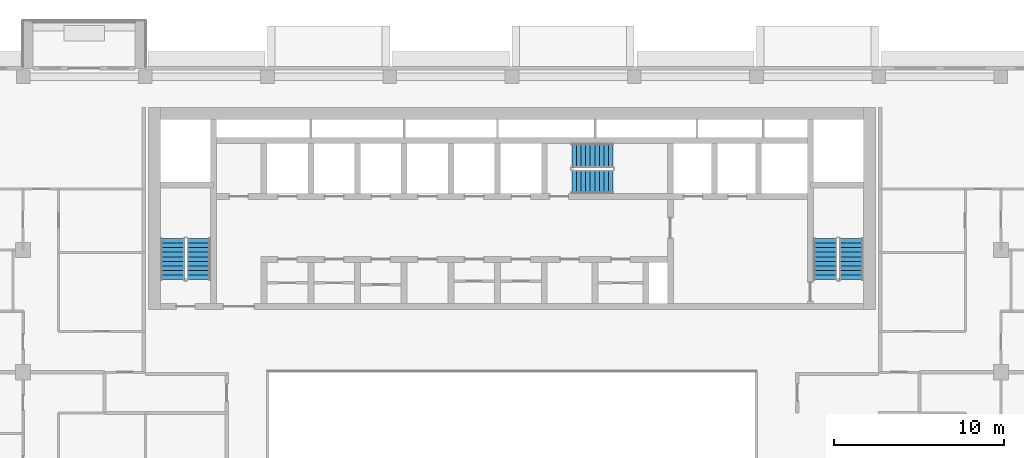
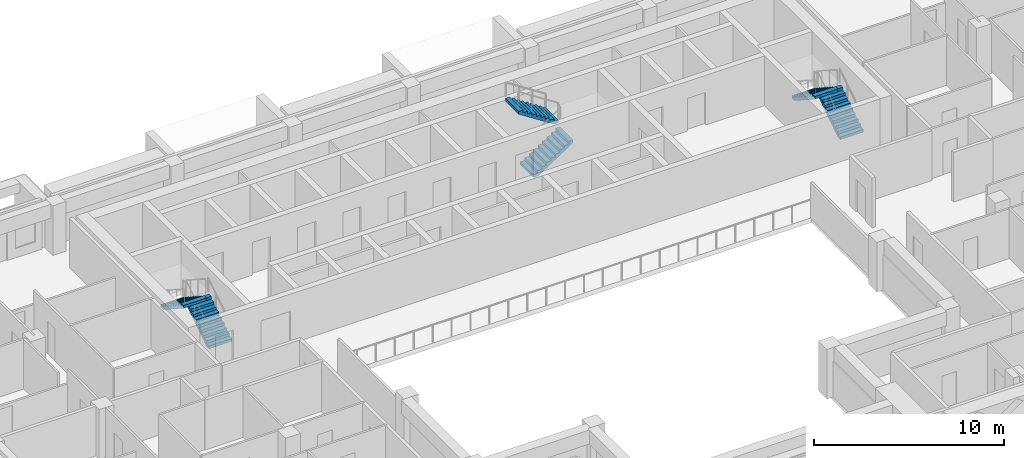
# One storey, part 13 of 20: 6 stair flights, 3 elements without a shape of their own.
"""IFC4 building model written with IfcOpenShell, lengths in metres."""

from ifc_helpers import new_model, si_unit, direction, frame, origin, place, context, subcontext, project, spatial, polyline, outline, extrude, material, layer, layer_set, type_object, element, aggregate, save


model = new_model("IFC4")

# Units and contexts
model_context = context("Model", 3, precision=1e-05, world=origin(), true_north=direction((0.0, 1.0)))
body_context = subcontext(model_context, "Body", "Model", "MODEL_VIEW")
ifc_project = project(units=[si_unit("LENGTHUNIT", "METRE"), si_unit("AREAUNIT", "SQUARE_METRE"), si_unit("VOLUMEUNIT", "CUBIC_METRE"), si_unit("PLANEANGLEUNIT", "RADIAN"), si_unit("MASSUNIT", "GRAM", prefix="KILO")], contexts=[model_context])

# Site, building, storey
site_placement = place(None, origin())
site = spatial("IfcSite", under=ifc_project, at=site_placement, CompositionType="ELEMENT")
building_placement = place(site_placement, origin())
building = spatial("IfcBuilding", under=site, at=building_placement, Name="Saffron Iwan Residences", CompositionType="ELEMENT")
storey_placement = place(building_placement, frame((0.0, 0.0, 199.0)))
storey = spatial("IfcBuildingStorey", under=building, at=storey_placement, Name="L53", CompositionType="ELEMENT", Elevation=199.0)

# Stair, stair flights
ifc_material = material(Name="Concrete C50/60", Category="concrete")
stair_type = type_object("IfcStairType", Name="Stair ST-CORE", PredefinedType="HALF_TURN_STAIR", material=ifc_material)
stair_1_placement = place(storey_placement, origin())
stair_1 = element("IfcStair", 1, at=stair_1_placement, inside=storey, type_object=stair_type, Name="L53 Exit Stair ST-W", PredefinedType="HALF_TURN_STAIR")
ifc_layer = layer(ifc_material, 0.14990234375)
ifc_layer_set = layer_set([ifc_layer], Name="Concrete C50/60")
stair_flight_type = type_object("IfcStairFlightType", Name="Stair flight SFL-RC", PredefinedType="STRAIGHT", material=ifc_layer_set)
stair_flight_1_placement = place(storey_placement, frame((31.949951171875, 67.85009765625, 0.0), z_axis=(0.0, 0.0, 1.0), x_axis=(0.0, 1.0, 0.0)))
stair_flight_1 = element("IfcStairFlight", 2, at=stair_flight_1_placement, type_object=stair_flight_type, Name="ST-W flight 1", NumberOfRisers=10, NumberOfTreads=9, PredefinedType="STRAIGHT", RiserHeight=0.175, TreadLength=0.27, context=body_context, shape_type="SweptSolid", body=[
    extrude(outline(polyline([(0.0, 0.0), (0.0, 0.175048828125), (0.27001953125, 0.175048828125), (0.27001953125, 0.35009765625), (0.5400390625, 0.35009765625), (0.5400390625, 0.52490234375), (0.81005859375, 0.52490234375), (0.81005859375, 0.699951171875), (1.080078125, 0.699951171875), (1.080078125, 0.875), (1.35009765625, 0.875), (1.35009765625, 1.050048828125), (1.6201171875, 1.050048828125), (1.6201171875, 1.22509765625), (1.889892578125, 1.22509765625), (1.889892578125, 1.39990234375), (2.159912109375, 1.39990234375), (2.159912109375, 1.574951171875), (2.429931640625, 1.574951171875), (2.429931640625, 1.75), (2.429931640625, 1.396484375), (0.275634765625, 0.0), (0.0, 0.0)])), frame((0.0, 0.699951171875, 0.0), z_axis=(0.0, -1.0, 0.0), x_axis=(1.0, 0.0, 0.0)), (0.0, 0.0, 1.0), 1.39990234375),
])
stair_flight_2_placement = place(storey_placement, frame((30.39990234375, 70.280029296875, 1.75), z_axis=(0.0, 0.0, 1.0), x_axis=(0.0, -1.0, 0.0)))
stair_flight_2 = element("IfcStairFlight", 3, at=stair_flight_2_placement, type_object=stair_flight_type, Name="ST-W flight 2", NumberOfRisers=10, NumberOfTreads=9, PredefinedType="STRAIGHT", RiserHeight=0.175, TreadLength=0.27, context=body_context, shape_type="SweptSolid", body=[
    extrude(outline(polyline([(0.0, 0.0), (0.0, 0.175048828125), (0.27001953125, 0.175048828125), (0.27001953125, 0.35009765625), (0.5400390625, 0.35009765625), (0.5400390625, 0.52490234375), (0.81005859375, 0.52490234375), (0.81005859375, 0.699951171875), (1.080078125, 0.699951171875), (1.080078125, 0.875), (1.35009765625, 0.875), (1.35009765625, 1.050048828125), (1.6201171875, 1.050048828125), (1.6201171875, 1.22509765625), (1.889892578125, 1.22509765625), (1.889892578125, 1.39990234375), (2.159912109375, 1.39990234375), (2.159912109375, 1.574951171875), (2.429931640625, 1.574951171875), (2.429931640625, 1.75), (2.429931640625, 1.396484375), (0.275634765625, 0.0), (0.0, 0.0)])), frame((0.0, 0.699951171875, 0.0), z_axis=(0.0, -1.0, 0.0), x_axis=(1.0, 0.0, 0.0)), (0.0, 0.0, 1.0), 1.39990234375),
])
aggregate(stair_1, [stair_flight_1, stair_flight_2])

stair_2_placement = place(storey_placement, origin())
stair_2 = element("IfcStair", 4, at=stair_2_placement, inside=storey, type_object=stair_type, Name="L53 Exit Stair ST-C", PredefinedType="HALF_TURN_STAIR")
stair_flight_3_placement = place(storey_placement, frame((53.925048828125, 73.625, 0.0), z_axis=(0.0, 0.0, 1.0), x_axis=(1.0, 0.0, 0.0)))
stair_flight_3 = element("IfcStairFlight", 5, at=stair_flight_3_placement, type_object=stair_flight_type, Name="ST-C flight 1", NumberOfRisers=10, NumberOfTreads=9, PredefinedType="STRAIGHT", RiserHeight=0.175, TreadLength=0.27, context=body_context, shape_type="SweptSolid", body=[
    extrude(outline(polyline([(0.0, 0.0), (0.0, 0.175048828125), (0.27001953125, 0.175048828125), (0.27001953125, 0.35009765625), (0.5400390625, 0.35009765625), (0.5400390625, 0.52490234375), (0.81005859375, 0.52490234375), (0.81005859375, 0.699951171875), (1.080078125, 0.699951171875), (1.080078125, 0.875), (1.35009765625, 0.875), (1.35009765625, 1.050048828125), (1.6201171875, 1.050048828125), (1.6201171875, 1.22509765625), (1.889892578125, 1.22509765625), (1.889892578125, 1.39990234375), (2.159912109375, 1.39990234375), (2.159912109375, 1.574951171875), (2.429931640625, 1.574951171875), (2.429931640625, 1.75), (2.429931640625, 1.396484375), (0.275634765625, 0.0), (0.0, 0.0)])), frame((0.0, 0.699951171875, 0.0), z_axis=(0.0, -1.0, 0.0), x_axis=(1.0, 0.0, 0.0)), (0.0, 0.0, 1.0), 1.39990234375),
])
stair_flight_4_placement = place(storey_placement, frame((56.35498046875, 75.175048828125, 1.75), z_axis=(0.0, 0.0, 1.0), x_axis=(-1.0, 0.0, 0.0)))
stair_flight_4 = element("IfcStairFlight", 6, at=stair_flight_4_placement, type_object=stair_flight_type, Name="ST-C flight 2", NumberOfRisers=10, NumberOfTreads=9, PredefinedType="STRAIGHT", RiserHeight=0.175, TreadLength=0.27, context=body_context, shape_type="SweptSolid", body=[
    extrude(outline(polyline([(0.0, 0.0), (0.0, 0.175048828125), (0.27001953125, 0.175048828125), (0.27001953125, 0.35009765625), (0.5400390625, 0.35009765625), (0.5400390625, 0.52490234375), (0.81005859375, 0.52490234375), (0.81005859375, 0.699951171875), (1.080078125, 0.699951171875), (1.080078125, 0.875), (1.35009765625, 0.875), (1.35009765625, 1.050048828125), (1.6201171875, 1.050048828125), (1.6201171875, 1.22509765625), (1.889892578125, 1.22509765625), (1.889892578125, 1.39990234375), (2.159912109375, 1.39990234375), (2.159912109375, 1.574951171875), (2.429931640625, 1.574951171875), (2.429931640625, 1.75), (2.429931640625, 1.396484375), (0.275634765625, 0.0), (0.0, 0.0)])), frame((0.0, 0.699951171875, 0.0), z_axis=(0.0, -1.0, 0.0), x_axis=(1.0, 0.0, 0.0)), (0.0, 0.0, 1.0), 1.39990234375),
])
aggregate(stair_2, [stair_flight_3, stair_flight_4])

stair_3_placement = place(storey_placement, origin())
stair_3 = element("IfcStair", 7, at=stair_3_placement, inside=storey, type_object=stair_type, Name="L53 Exit Stair ST-E", PredefinedType="HALF_TURN_STAIR")
stair_flight_5_placement = place(storey_placement, frame((70.39990234375, 67.85009765625, 0.0), z_axis=(0.0, 0.0, 1.0), x_axis=(0.0, 1.0, 0.0)))
stair_flight_5 = element("IfcStairFlight", 8, at=stair_flight_5_placement, type_object=stair_flight_type, Name="ST-E flight 1", NumberOfRisers=10, NumberOfTreads=9, PredefinedType="STRAIGHT", RiserHeight=0.175, TreadLength=0.27, context=body_context, shape_type="SweptSolid", body=[
    extrude(outline(polyline([(0.0, 0.0), (0.0, 0.175048828125), (0.27001953125, 0.175048828125), (0.27001953125, 0.35009765625), (0.5400390625, 0.35009765625), (0.5400390625, 0.52490234375), (0.81005859375, 0.52490234375), (0.81005859375, 0.699951171875), (1.080078125, 0.699951171875), (1.080078125, 0.875), (1.35009765625, 0.875), (1.35009765625, 1.050048828125), (1.6201171875, 1.050048828125), (1.6201171875, 1.22509765625), (1.889892578125, 1.22509765625), (1.889892578125, 1.39990234375), (2.159912109375, 1.39990234375), (2.159912109375, 1.574951171875), (2.429931640625, 1.574951171875), (2.429931640625, 1.75), (2.429931640625, 1.396484375), (0.275634765625, 0.0), (0.0, 0.0)])), frame((0.0, 0.699951171875, 0.0), z_axis=(0.0, -1.0, 0.0), x_axis=(1.0, 0.0, 0.0)), (0.0, 0.0, 1.0), 1.39990234375),
])
stair_flight_6_placement = place(storey_placement, frame((68.85009765625, 70.280029296875, 1.75), z_axis=(0.0, 0.0, 1.0), x_axis=(0.0, -1.0, 0.0)))
stair_flight_6 = element("IfcStairFlight", 9, at=stair_flight_6_placement, type_object=stair_flight_type, Name="ST-E flight 2", NumberOfRisers=10, NumberOfTreads=9, PredefinedType="STRAIGHT", RiserHeight=0.175, TreadLength=0.27, context=body_context, shape_type="SweptSolid", body=[
    extrude(outline(polyline([(0.0, 0.0), (0.0, 0.175048828125), (0.27001953125, 0.175048828125), (0.27001953125, 0.35009765625), (0.5400390625, 0.35009765625), (0.5400390625, 0.52490234375), (0.81005859375, 0.52490234375), (0.81005859375, 0.699951171875), (1.080078125, 0.699951171875), (1.080078125, 0.875), (1.35009765625, 0.875), (1.35009765625, 1.050048828125), (1.6201171875, 1.050048828125), (1.6201171875, 1.22509765625), (1.889892578125, 1.22509765625), (1.889892578125, 1.39990234375), (2.159912109375, 1.39990234375), (2.159912109375, 1.574951171875), (2.429931640625, 1.574951171875), (2.429931640625, 1.75), (2.429931640625, 1.396484375), (0.275634765625, 0.0), (0.0, 0.0)])), frame((0.0, 0.699951171875, 0.0), z_axis=(0.0, -1.0, 0.0), x_axis=(1.0, 0.0, 0.0)), (0.0, 0.0, 1.0), 1.39990234375),
])
aggregate(stair_3, [stair_flight_5, stair_flight_6])

save(model, "model.ifc")
